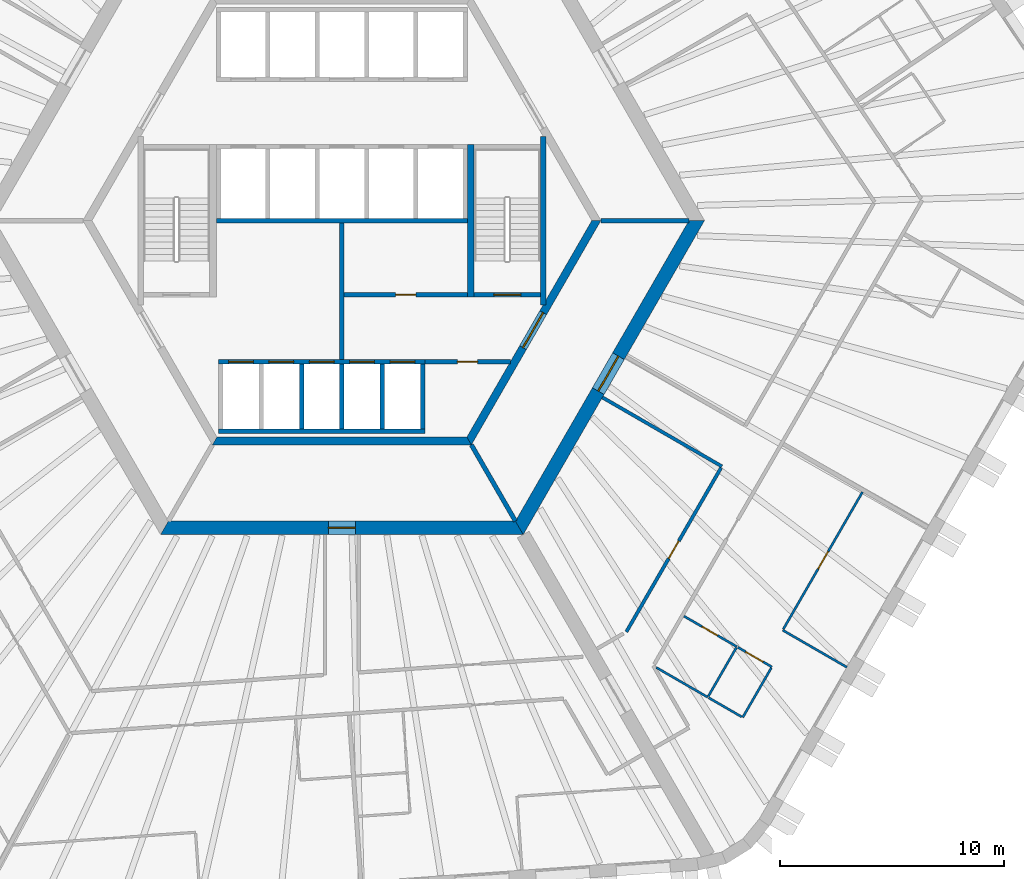
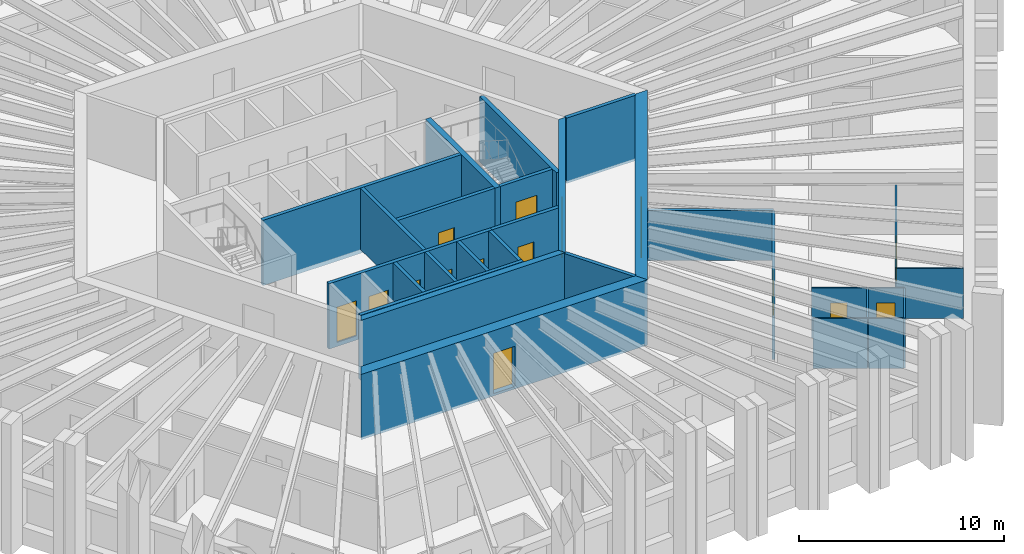
# One storey, part 5 of 12: 29 walls, 15 doors, 15 openings.
"""IFC4 building model written with IfcOpenShell, lengths in metres."""

from ifc_helpers import new_model, si_unit, direction, frame, frame_2d, origin, place, context, subcontext, project, spatial, polyline, rectangle, outline, extrude, material, layer, layer_set, type_object, element, fill, save


model = new_model("IFC4")

# Units and contexts
model_context = context("Model", 3, precision=1e-05, world=origin(), true_north=direction((0.0, 1.0)))
body_context = subcontext(model_context, "Body", "Model", "MODEL_VIEW")
ifc_project = project(units=[si_unit("LENGTHUNIT", "METRE"), si_unit("AREAUNIT", "SQUARE_METRE"), si_unit("VOLUMEUNIT", "CUBIC_METRE"), si_unit("PLANEANGLEUNIT", "RADIAN"), si_unit("MASSUNIT", "GRAM", prefix="KILO")], contexts=[model_context])

# Site, building, storey
site_placement = place(None, origin())
site = spatial("IfcSite", under=ifc_project, at=site_placement, CompositionType="ELEMENT")
building_placement = place(site_placement, origin())
building = spatial("IfcBuilding", under=site, at=building_placement, Name="Tarnside Tower", CompositionType="ELEMENT")
storey_placement = place(building_placement, frame((0.0, 0.0, 60.89990234375)))
storey = spatial("IfcBuildingStorey", under=building, at=storey_placement, Name="L12", CompositionType="ELEMENT", Elevation=60.89990234375)

# Wall
ifc_material_1 = material(Name="Gypsum board partition on steel studs", Category="steel")
ifc_layer_1 = layer(ifc_material_1, 0.10009765625)
ifc_layer_set_1 = layer_set([ifc_layer_1], Name="Bathroom wall 100")
wall_type_1 = type_object("IfcWallType", Name="Bathroom wall 100", PredefinedType="PARTITIONING", material=ifc_layer_set_1)
wall_1_placement = place(storey_placement, frame((16.31005859375, -21.25, 0.0), z_axis=(0.0, 0.0, 1.0), x_axis=(-0.866029095148, 0.499993606316, 0.0)))
element("IfcWall", 1, at=wall_1_placement, inside=storey, type_object=wall_type_1, Name="Bathroom wall 03124", PredefinedType="PARTITIONING", context=body_context, shape_type="SweptSolid", body=[
    extrude(rectangle(XDim=2.64990234375, YDim=0.10009765625, at=frame_2d((1.324951171875, 0.0))), origin(), (0.0, 0.0, 1.0), 2.98779296875),
])

# Wall, opening, door
wall_2_placement = place(storey_placement, frame((15.250244140625, -17.6357421875, 0.0), z_axis=(0.0, 0.0, 1.0), x_axis=(0.866012511928, -0.500022328685, 0.0)))
wall_2 = element("IfcWall", 2, at=wall_2_placement, inside=storey, type_object=wall_type_1, Name="Bathroom wall 03125", PredefinedType="PARTITIONING", context=body_context, shape_type="SweptSolid", body=[
    extrude(rectangle(XDim=2.72509765625, YDim=0.10009765625, at=frame_2d((1.362548828125, 0.0))), origin(), (0.0, 0.0, 1.0), 2.98779296875),
])
opening_1_placement = place(wall_2_placement, frame((0.925048828125, 0.0, 0.0)))
opening_1 = element("IfcOpeningElement", 3, at=opening_1_placement, cuts=wall_2, Name="Opening D-B1", PredefinedType="OPENING", context=body_context, shape_type="SweptSolid", body=[
    extrude(rectangle(XDim=0.800048828125, YDim=2.10009765625, at=frame_2d((0.39990234375, 1.050048828125))), frame((0.0, 0.06005859375, 0.0), z_axis=(0.0, -1.0, 0.0), x_axis=(1.0, 0.0, 0.0)), (0.0, 0.0, 1.0), 0.1201171875),
])
ifc_material_2 = material(Name="Timber door leaf", Category="wood")
door_type_1 = type_object("IfcDoorType", Name="Bathroom door 800", OperationType="NOTDEFINED", PredefinedType="DOOR", material=ifc_material_2)
door_1_placement = place(opening_1_placement, origin())
door_1 = element("IfcDoor", 4, at=door_1_placement, inside=storey, type_object=door_type_1, Name="Bathroom door 03027", OperationType="SINGLE_SWING_RIGHT", OverallHeight=2.10009765625, OverallWidth=0.800048828125, PredefinedType="DOOR", context=body_context, shape_type="SweptSolid", body=[
    extrude(rectangle(XDim=0.800048828125, YDim=2.10009765625, at=frame_2d((0.39990234375, 1.050048828125))), frame((0.0, 0.02490234375, 0.0), z_axis=(0.0, -1.0, 0.0), x_axis=(1.0, 0.0, 0.0)), (0.0, 0.0, 1.0), 0.050048828125),
])
fill(opening_1, door_1)

# Walls
wall_3_placement = place(storey_placement, frame((16.335205078125, -21.206787109375, 0.0), z_axis=(0.0, 0.0, 1.0), x_axis=(0.500004234368, 0.866022959057, 0.0)))
element("IfcWall", 5, at=wall_3_placement, inside=storey, type_object=wall_type_1, Name="Bathroom wall 03132", PredefinedType="PARTITIONING", context=body_context, shape_type="SweptSolid", body=[
    extrude(rectangle(XDim=2.5, YDim=0.10009765625, at=frame_2d((1.25, 0.0))), origin(), (0.0, 0.0, 1.0), 2.98779296875),
])
ifc_material_3 = material(Name="Concrete C50/60", Category="concrete")
ifc_layer_2 = layer(ifc_material_3, 0.35009765625)
ifc_layer_set_2 = layer_set([ifc_layer_2], Name="Core block wall 350 C50/60")
wall_type_2 = type_object("IfcWallType", Name="Core block wall 350 C50/60", PredefinedType="SHEAR", material=ifc_layer_set_2)
wall_4_placement = place(storey_placement, frame((-5.672607421875, -9.824951171875, -0.14990234375), z_axis=(0.0, 0.0, 1.0), x_axis=(1.0, 0.0, 0.0)))
element("IfcWall", 6, at=wall_4_placement, inside=storey, type_object=wall_type_2, Name="L12 core block wall face 4", PredefinedType="SHEAR", context=body_context, shape_type="SweptSolid", body=[
    extrude(outline(polyline([(-0.10107421875, -0.175048828125), (11.4462890625, -0.175048828125), (11.244140625, 0.175048828125), (0.10107421875, 0.175048828125), (-0.10107421875, -0.175048828125)])), origin(), (0.0, 0.0, 1.0), 3.89990234375),
])

# Wall, opening, door
wall_5_placement = place(storey_placement, frame((5.672607421875, -9.824951171875, -0.14990234375), z_axis=(0.0, 0.0, 1.0), x_axis=(0.499995046907, 0.866028263435, 0.0)))
wall_5 = element("IfcWall", 7, at=wall_5_placement, inside=storey, type_object=wall_type_2, Name="L12 core block wall face 5", PredefinedType="SHEAR", context=body_context, shape_type="SweptSolid", body=[
    extrude(outline(polyline([(-0.10107421875, -0.175048828125), (11.44580078125, -0.175048828125), (11.24365234375, 0.175048828125), (0.10107421875, 0.175048828125), (-0.10107421875, -0.175048828125)])), origin(), (0.0, 0.0, 1.0), 3.89990234375),
])
opening_2_placement = place(wall_5_placement, frame((4.80126953125, 0.0, 0.14990234375)))
opening_2 = element("IfcOpeningElement", 8, at=opening_2_placement, cuts=wall_5, Name="Opening CD-FFL", PredefinedType="OPENING", context=body_context, shape_type="SweptSolid", body=[
    extrude(rectangle(XDim=1.800048828125, YDim=2.39990234375, at=frame_2d((0.89990234375, 1.199951171875))), frame((0.0, 0.18505859375, 0.0), z_axis=(0.0, -1.0, 0.0), x_axis=(1.0, 0.0, 0.0)), (0.0, 0.0, 1.0), 0.3701171875),
])
ifc_material_4 = material(Name="Steel fire door", Category="steel")
door_type_2 = type_object("IfcDoorType", Name="Firefighting lobby double door FD60S 1800x2400", OperationType="NOTDEFINED", PredefinedType="DOOR", material=ifc_material_4)
door_2_placement = place(opening_2_placement, origin())
door_2 = element("IfcDoor", 9, at=door_2_placement, inside=storey, type_object=door_type_2, Name="L12 lobby block door P4", OperationType="DOUBLE_DOOR_SINGLE_SWING", OverallHeight=2.39990234375, OverallWidth=1.800048828125, PredefinedType="DOOR", context=body_context, shape_type="SweptSolid", body=[
    extrude(rectangle(XDim=1.800048828125, YDim=2.39990234375, at=frame_2d((0.89990234375, 1.199951171875))), frame((0.0, 0.02490234375, 0.0), z_axis=(0.0, -1.0, 0.0), x_axis=(1.0, 0.0, 0.0)), (0.0, 0.0, 1.0), 0.050048828125),
])
fill(opening_2, door_2)

ifc_material_5 = material(Name="Concrete C40/50", Category="concrete")
ifc_layer_3 = layer(ifc_material_5, 0.199951171875)
ifc_layer_set_3 = layer_set([ifc_layer_3], Name="Core room partition 200 C40/50")
wall_type_3 = type_object("IfcWallType", Name="Core room partition 200 C40/50", PredefinedType="PARTITIONING", material=ifc_layer_set_3)
wall_6_placement = place(storey_placement, frame((0.10009765625, -3.300048828125, 0.0), z_axis=(0.0, 0.0, 1.0), x_axis=(1.0, 0.0, 0.0)))
wall_6 = element("IfcWall", 10, at=wall_6_placement, inside=storey, type_object=wall_type_3, Name="L12 core partition R3S1", PredefinedType="PARTITIONING", context=body_context, shape_type="SweptSolid", body=[
    extrude(rectangle(XDim=5.5, YDim=0.199951171875, at=frame_2d((2.75, 0.0))), origin(), (0.0, 0.0, 1.0), 3.650146484375),
])
opening_3_placement = place(wall_6_placement, frame((2.300048828125, 0.0, 0.0)))
opening_3 = element("IfcOpeningElement", 11, at=opening_3_placement, cuts=wall_6, Name="Opening CD-room", PredefinedType="OPENING", context=body_context, shape_type="SweptSolid", body=[
    extrude(rectangle(XDim=0.89990234375, YDim=2.10009765625, at=frame_2d((0.449951171875, 1.050048828125))), frame((0.0, 0.10986328125, 0.0), z_axis=(0.0, -1.0, 0.0), x_axis=(1.0, 0.0, 0.0)), (0.0, 0.0, 1.0), 0.219970703125),
])
door_type_3 = type_object("IfcDoorType", Name="Room door FD60 900x2100", OperationType="NOTDEFINED", PredefinedType="DOOR", material=ifc_material_4)
door_3_placement = place(opening_3_placement, origin())
door_3 = element("IfcDoor", 12, at=door_3_placement, inside=storey, type_object=door_type_3, Name="L12 core room door SR1", OperationType="SINGLE_SWING_LEFT", OverallHeight=2.10009765625, OverallWidth=0.89990234375, PredefinedType="DOOR", context=body_context, shape_type="SweptSolid", body=[
    extrude(rectangle(XDim=0.89990234375, YDim=2.10009765625, at=frame_2d((0.449951171875, 1.050048828125))), frame((0.0, 0.02490234375, 0.0), z_axis=(0.0, -1.0, 0.0), x_axis=(1.0, 0.0, 0.0)), (0.0, 0.0, 1.0), 0.050048828125),
])
fill(opening_3, door_3)

# Wall
wall_7_placement = place(storey_placement, frame((0.0, -6.199951171875, 0.0), z_axis=(0.0, 0.0, 1.0), x_axis=(0.0, 1.0, 0.0)))
element("IfcWall", 13, at=wall_7_placement, inside=storey, type_object=wall_type_3, Name="L12 core partition X0", PredefinedType="PARTITIONING", context=body_context, shape_type="SweptSolid", body=[
    extrude(rectangle(XDim=6.099853515625, YDim=0.199951171875, at=frame_2d((3.0498046875, 0.0))), origin(), (0.0, 0.0, 1.0), 3.650146484375),
])

# Wall, opening, door
wall_8_placement = place(storey_placement, frame((3.699951171875, -6.300048828125, 0.0), z_axis=(0.0, 0.0, 1.0), x_axis=(1.0, 0.0, 0.0)))
wall_8 = element("IfcWall", 14, at=wall_8_placement, inside=storey, type_object=wall_type_3, Name="L12 core partition R4X", PredefinedType="PARTITIONING", context=body_context, shape_type="SweptSolid", body=[
    extrude(rectangle(XDim=3.8056640625, YDim=0.199951171875, at=frame_2d((1.90283203125, 0.0))), origin(), (0.0, 0.0, 1.0), 3.650146484375),
])
opening_4_placement = place(wall_8_placement, frame((1.452880859375, 0.0, 0.0)))
opening_4 = element("IfcOpeningElement", 15, at=opening_4_placement, cuts=wall_8, Name="Opening CD-room", PredefinedType="OPENING", context=body_context, shape_type="SweptSolid", body=[
    extrude(rectangle(XDim=0.89990234375, YDim=2.10009765625, at=frame_2d((0.449951171875, 1.050048828125))), frame((0.0, 0.10986328125, 0.0), z_axis=(0.0, -1.0, 0.0), x_axis=(1.0, 0.0, 0.0)), (0.0, 0.0, 1.0), 0.219970703125),
])
door_4_placement = place(opening_4_placement, origin())
door_4 = element("IfcDoor", 16, at=door_4_placement, inside=storey, type_object=door_type_3, Name="L12 core room door RX", OperationType="SINGLE_SWING_LEFT", OverallHeight=2.10009765625, OverallWidth=0.89990234375, PredefinedType="DOOR", context=body_context, shape_type="SweptSolid", body=[
    extrude(rectangle(XDim=0.89990234375, YDim=2.10009765625, at=frame_2d((0.449951171875, 1.050048828125))), frame((0.0, 0.02490234375, 0.0), z_axis=(0.0, -1.0, 0.0), x_axis=(1.0, 0.0, 0.0)), (0.0, 0.0, 1.0), 0.050048828125),
])
fill(opening_4, door_4)

ifc_material_6 = material(Name="Concrete C80/95", Category="concrete")
ifc_layer_4 = layer(ifc_material_6, 0.60009765625)
ifc_layer_set_4 = layer_set([ifc_layer_4], Name="Core wall Z1 600 C80/95")
wall_type_4 = type_object("IfcWallType", Name="Core wall Z1 600 C80/95", PredefinedType="SHEAR", material=ifc_layer_set_4)
wall_9_placement = place(storey_placement, frame((-7.90966796875, -13.699951171875, -0.14990234375), z_axis=(0.0, 0.0, 1.0), x_axis=(1.0, 0.0, 0.0)))
wall_9 = element("IfcWall", 17, at=wall_9_placement, inside=storey, type_object=wall_type_4, Name="L12 core wall face 4", PredefinedType="SHEAR", context=body_context, shape_type="SweptSolid", body=[
    extrude(outline(polyline([(-0.17333984375, -0.300048828125), (15.99267578125, -0.300048828125), (15.64599609375, 0.300048828125), (0.17333984375, 0.300048828125), (-0.17333984375, -0.300048828125)])), origin(), (0.0, 0.0, 1.0), 3.89990234375),
])
opening_5_placement = place(wall_9_placement, frame((7.309814453125, 0.0, 0.14990234375)))
opening_5 = element("IfcOpeningElement", 18, at=opening_5_placement, cuts=wall_9, Name="Opening CD-RSR", PredefinedType="OPENING", context=body_context, shape_type="SweptSolid", body=[
    extrude(rectangle(XDim=1.199951171875, YDim=2.39990234375, at=frame_2d((0.60009765625, 1.199951171875))), frame((0.0, 0.31005859375, 0.0), z_axis=(0.0, -1.0, 0.0), x_axis=(1.0, 0.0, 0.0)), (0.0, 0.0, 1.0), 0.6201171875),
])
door_type_4 = type_object("IfcDoorType", Name="Riser door FD60 1200x2400", OperationType="NOTDEFINED", PredefinedType="DOOR", material=ifc_material_4)
door_5_placement = place(opening_5_placement, origin())
door_5 = element("IfcDoor", 19, at=door_5_placement, inside=storey, type_object=door_type_4, Name="L12 core door S6", OperationType="SINGLE_SWING_LEFT", OverallHeight=2.39990234375, OverallWidth=1.199951171875, PredefinedType="DOOR", context=body_context, shape_type="SweptSolid", body=[
    extrude(rectangle(XDim=1.199951171875, YDim=2.39990234375, at=frame_2d((0.60009765625, 1.199951171875))), frame((0.0, 0.02490234375, 0.0), z_axis=(0.0, -1.0, 0.0), x_axis=(1.0, 0.0, 0.0)), (0.0, 0.0, 1.0), 0.050048828125),
])
fill(opening_5, door_5)

wall_10_placement = place(storey_placement, frame((7.90966796875, -13.699951171875, -0.14990234375), z_axis=(0.0, 0.0, 1.0), x_axis=(0.499999880136, 0.866025472988, 0.0)))
wall_10 = element("IfcWall", 20, at=wall_10_placement, inside=storey, type_object=wall_type_4, Name="L12 core wall face 5", PredefinedType="SHEAR", context=body_context, shape_type="SweptSolid", body=[
    extrude(outline(polyline([(-0.17333984375, -0.300048828125), (15.99267578125, -0.300048828125), (15.64599609375, 0.300048828125), (0.17333984375, 0.300048828125), (-0.17333984375, -0.300048828125)])), origin(), (0.0, 0.0, 1.0), 3.89990234375),
])
opening_6_placement = place(wall_10_placement, frame((7.03857421875, 0.0, 0.14990234375)))
opening_6 = element("IfcOpeningElement", 21, at=opening_6_placement, cuts=wall_10, Name="Opening CD-FFL", PredefinedType="OPENING", context=body_context, shape_type="SweptSolid", body=[
    extrude(rectangle(XDim=1.800048828125, YDim=2.39990234375, at=frame_2d((0.89990234375, 1.199951171875))), frame((0.0, 0.31005859375, 0.0), z_axis=(0.0, -1.0, 0.0), x_axis=(1.0, 0.0, 0.0)), (0.0, 0.0, 1.0), 0.6201171875),
])
door_6_placement = place(opening_6_placement, origin())
door_6 = element("IfcDoor", 22, at=door_6_placement, inside=storey, type_object=door_type_2, Name="L12 core door P4", OperationType="DOUBLE_DOOR_SINGLE_SWING", OverallHeight=2.39990234375, OverallWidth=1.800048828125, PredefinedType="DOOR", context=body_context, shape_type="SweptSolid", body=[
    extrude(rectangle(XDim=1.800048828125, YDim=2.39990234375, at=frame_2d((0.89990234375, 1.199951171875))), frame((0.0, 0.02490234375, 0.0), z_axis=(0.0, -1.0, 0.0), x_axis=(1.0, 0.0, 0.0)), (0.0, 0.0, 1.0), 0.050048828125),
])
fill(opening_6, door_6)

# Wall
ifc_layer_5 = layer(ifc_material_1, 0.14990234375)
ifc_layer_set_5 = layer_set([ifc_layer_5], Name="Corridor wall 150 EI 60")
wall_type_5 = type_object("IfcWallType", Name="Corridor wall 150 EI 60", PredefinedType="PARTITIONING", material=ifc_layer_set_5)
wall_11_placement = place(storey_placement, frame((11.61376953125, -7.88427734375, 0.0), z_axis=(0.0, 0.0, 1.0), x_axis=(0.866033542371, -0.499985903289, 0.0)))
element("IfcWall", 23, at=wall_11_placement, inside=storey, type_object=wall_type_5, Name="Corridor wall 03067", PredefinedType="PARTITIONING", context=body_context, shape_type="SweptSolid", body=[
    extrude(rectangle(XDim=6.150146484375, YDim=0.14990234375, at=frame_2d((3.0751953125, 0.0))), origin(), (0.0, 0.0, 1.0), 2.98779296875),
])

# Wall, opening, door
wall_12_placement = place(storey_placement, frame((16.90234375, -11.024169921875, 0.0), z_axis=(0.0, 0.0, 1.0), x_axis=(-0.499999527968, -0.866025676312, 0.0)))
wall_12 = element("IfcWall", 24, at=wall_12_placement, inside=storey, type_object=wall_type_5, Name="Corridor wall 03068", PredefinedType="PARTITIONING", context=body_context, shape_type="SweptSolid", body=[
    extrude(rectangle(XDim=8.44091796875, YDim=0.14990234375, at=frame_2d((4.220458984375, 0.0))), origin(), (0.0, 0.0, 1.0), 2.98779296875),
])
opening_7_placement = place(wall_12_placement, frame((3.7705078125, 0.0, 0.0)))
opening_7 = element("IfcOpeningElement", 25, at=opening_7_placement, cuts=wall_12, Name="Opening D-S1", PredefinedType="OPENING", context=body_context, shape_type="SweptSolid", body=[
    extrude(rectangle(XDim=0.89990234375, YDim=2.10009765625, at=frame_2d((0.449951171875, 1.050048828125))), frame((0.0, 0.0849609375, 0.0), z_axis=(0.0, -1.0, 0.0), x_axis=(1.0, 0.0, 0.0)), (0.0, 0.0, 1.0), 0.169921875),
])
door_type_5 = type_object("IfcDoorType", Name="Service room door 900 FD30S", OperationType="NOTDEFINED", PredefinedType="DOOR", material=ifc_material_2)
door_7_placement = place(opening_7_placement, origin())
door_7 = element("IfcDoor", 26, at=door_7_placement, inside=storey, type_object=door_type_5, Name="Service door 03046", OperationType="SINGLE_SWING_RIGHT", OverallHeight=2.10009765625, OverallWidth=0.89990234375, PredefinedType="DOOR", context=body_context, shape_type="SweptSolid", body=[
    extrude(rectangle(XDim=0.89990234375, YDim=2.10009765625, at=frame_2d((0.449951171875, 1.050048828125))), frame((0.0, 0.02490234375, 0.0), z_axis=(0.0, -1.0, 0.0), x_axis=(1.0, 0.0, 0.0)), (0.0, 0.0, 1.0), 0.050048828125),
])
fill(opening_7, door_7)

# Wall
ifc_layer_6 = layer(ifc_material_5, 0.199951171875)
ifc_layer_set_6 = layer_set([ifc_layer_6], Name="Lift shaft wall 200 C40/50")
wall_type_6 = type_object("IfcWallType", Name="Lift shaft wall 200 C40/50", PredefinedType="SHEAR", material=ifc_layer_set_6)
wall_13_placement = place(storey_placement, frame((-5.60009765625, 0.0, -0.25), z_axis=(0.0, 0.0, 1.0), x_axis=(1.0, 0.0, 0.0)))
element("IfcWall", 27, at=wall_13_placement, inside=storey, type_object=wall_type_6, Name="L12 lift shaft back wall R2", PredefinedType="SHEAR", context=body_context, shape_type="SweptSolid", body=[
    extrude(rectangle(XDim=11.2001953125, YDim=0.199951171875, at=frame_2d((5.60009765625, 0.0))), origin(), (0.0, 0.0, 1.0), 3.900146484375),
])

# Wall, openings, doors
wall_14_placement = place(storey_placement, frame((-5.5, -6.300048828125, -0.25), z_axis=(0.0, 0.0, 1.0), x_axis=(1.0, 0.0, 0.0)))
wall_14 = element("IfcWall", 28, at=wall_14_placement, inside=storey, type_object=wall_type_6, Name="L12 lift shaft front wall R4", PredefinedType="SHEAR", context=body_context, shape_type="SweptSolid", body=[
    extrude(rectangle(XDim=9.199951171875, YDim=0.199951171875, at=frame_2d((4.60009765625, 0.0))), origin(), (0.0, 0.0, 1.0), 3.900146484375),
])
opening_8_placement = place(wall_14_placement, frame((0.449951171875, 0.0, 0.25)))
opening_8 = element("IfcOpeningElement", 29, at=opening_8_placement, cuts=wall_14, Name="Opening LDF", PredefinedType="OPENING", context=body_context, shape_type="SweptSolid", body=[
    extrude(rectangle(XDim=1.10009765625, YDim=2.10009765625, at=frame_2d((0.550048828125, 1.050048828125))), frame((0.0, 0.10986328125, 0.0), z_axis=(0.0, -1.0, 0.0), x_axis=(1.0, 0.0, 0.0)), (0.0, 0.0, 1.0), 0.219970703125),
])
opening_9_placement = place(wall_14_placement, frame((2.25, 0.0, 0.25)))
opening_9 = element("IfcOpeningElement", 30, at=opening_9_placement, cuts=wall_14, Name="Opening LDF", PredefinedType="OPENING", context=body_context, shape_type="SweptSolid", body=[
    extrude(rectangle(XDim=1.10009765625, YDim=2.10009765625, at=frame_2d((0.550048828125, 1.050048828125))), frame((0.0, 0.10986328125, 0.0), z_axis=(0.0, -1.0, 0.0), x_axis=(1.0, 0.0, 0.0)), (0.0, 0.0, 1.0), 0.219970703125),
])
opening_10_placement = place(wall_14_placement, frame((4.050048828125, 0.0, 0.25)))
opening_10 = element("IfcOpeningElement", 31, at=opening_10_placement, cuts=wall_14, Name="Opening LDF", PredefinedType="OPENING", context=body_context, shape_type="SweptSolid", body=[
    extrude(rectangle(XDim=1.10009765625, YDim=2.10009765625, at=frame_2d((0.550048828125, 1.050048828125))), frame((0.0, 0.10986328125, 0.0), z_axis=(0.0, -1.0, 0.0), x_axis=(1.0, 0.0, 0.0)), (0.0, 0.0, 1.0), 0.219970703125),
])
opening_11_placement = place(wall_14_placement, frame((5.85009765625, 0.0, 0.25)))
opening_11 = element("IfcOpeningElement", 32, at=opening_11_placement, cuts=wall_14, Name="Opening LDF", PredefinedType="OPENING", context=body_context, shape_type="SweptSolid", body=[
    extrude(rectangle(XDim=1.10009765625, YDim=2.10009765625, at=frame_2d((0.550048828125, 1.050048828125))), frame((0.0, 0.10986328125, 0.0), z_axis=(0.0, -1.0, 0.0), x_axis=(1.0, 0.0, 0.0)), (0.0, 0.0, 1.0), 0.219970703125),
])
opening_12_placement = place(wall_14_placement, frame((7.64990234375, 0.0, 0.25)))
opening_12 = element("IfcOpeningElement", 33, at=opening_12_placement, cuts=wall_14, Name="Opening LDF", PredefinedType="OPENING", context=body_context, shape_type="SweptSolid", body=[
    extrude(rectangle(XDim=1.10009765625, YDim=2.10009765625, at=frame_2d((0.550048828125, 1.050048828125))), frame((0.0, 0.10986328125, 0.0), z_axis=(0.0, -1.0, 0.0), x_axis=(1.0, 0.0, 0.0)), (0.0, 0.0, 1.0), 0.219970703125),
])
ifc_material_7 = material(Name="Stainless steel", Category="steel")
door_type_6 = type_object("IfcDoorType", Name="Lift landing door 1100x2100 EI 120", OperationType="NOTDEFINED", PredefinedType="DOOR", material=ifc_material_7)
door_8_placement = place(opening_8_placement, origin())
door_8 = element("IfcDoor", 34, at=door_8_placement, inside=storey, type_object=door_type_6, Name="Firefighting lift 1 landing door L12", OperationType="SLIDING_TO_LEFT", OverallHeight=2.10009765625, OverallWidth=1.10009765625, PredefinedType="DOOR", context=body_context, shape_type="SweptSolid", body=[
    extrude(rectangle(XDim=1.10009765625, YDim=2.10009765625, at=frame_2d((0.550048828125, 1.050048828125))), frame((0.0, 0.02490234375, 0.0), z_axis=(0.0, -1.0, 0.0), x_axis=(1.0, 0.0, 0.0)), (0.0, 0.0, 1.0), 0.050048828125),
])
fill(opening_8, door_8)
door_9_placement = place(opening_9_placement, origin())
door_9 = element("IfcDoor", 35, at=door_9_placement, inside=storey, type_object=door_type_6, Name="Firefighting lift 2 landing door L12", OperationType="SLIDING_TO_LEFT", OverallHeight=2.10009765625, OverallWidth=1.10009765625, PredefinedType="DOOR", context=body_context, shape_type="SweptSolid", body=[
    extrude(rectangle(XDim=1.10009765625, YDim=2.10009765625, at=frame_2d((0.550048828125, 1.050048828125))), frame((0.0, 0.02490234375, 0.0), z_axis=(0.0, -1.0, 0.0), x_axis=(1.0, 0.0, 0.0)), (0.0, 0.0, 1.0), 0.050048828125),
])
fill(opening_9, door_9)
door_10_placement = place(opening_10_placement, origin())
door_10 = element("IfcDoor", 36, at=door_10_placement, inside=storey, type_object=door_type_6, Name="Firefighting lift 3 landing door L12", OperationType="SLIDING_TO_LEFT", OverallHeight=2.10009765625, OverallWidth=1.10009765625, PredefinedType="DOOR", context=body_context, shape_type="SweptSolid", body=[
    extrude(rectangle(XDim=1.10009765625, YDim=2.10009765625, at=frame_2d((0.550048828125, 1.050048828125))), frame((0.0, 0.02490234375, 0.0), z_axis=(0.0, -1.0, 0.0), x_axis=(1.0, 0.0, 0.0)), (0.0, 0.0, 1.0), 0.050048828125),
])
fill(opening_10, door_10)
door_11_placement = place(opening_11_placement, origin())
door_11 = element("IfcDoor", 37, at=door_11_placement, inside=storey, type_object=door_type_6, Name="Firefighting lift 4 landing door L12", OperationType="SLIDING_TO_LEFT", OverallHeight=2.10009765625, OverallWidth=1.10009765625, PredefinedType="DOOR", context=body_context, shape_type="SweptSolid", body=[
    extrude(rectangle(XDim=1.10009765625, YDim=2.10009765625, at=frame_2d((0.550048828125, 1.050048828125))), frame((0.0, 0.02490234375, 0.0), z_axis=(0.0, -1.0, 0.0), x_axis=(1.0, 0.0, 0.0)), (0.0, 0.0, 1.0), 0.050048828125),
])
fill(opening_11, door_11)
door_12_placement = place(opening_12_placement, origin())
door_12 = element("IfcDoor", 38, at=door_12_placement, inside=storey, type_object=door_type_6, Name="Firefighting lift 5 landing door L12", OperationType="SLIDING_TO_LEFT", OverallHeight=2.10009765625, OverallWidth=1.10009765625, PredefinedType="DOOR", context=body_context, shape_type="SweptSolid", body=[
    extrude(rectangle(XDim=1.10009765625, YDim=2.10009765625, at=frame_2d((0.550048828125, 1.050048828125))), frame((0.0, 0.02490234375, 0.0), z_axis=(0.0, -1.0, 0.0), x_axis=(1.0, 0.0, 0.0)), (0.0, 0.0, 1.0), 0.050048828125),
])
fill(opening_12, door_12)

# Walls
wall_15_placement = place(storey_placement, frame((-5.5, -9.39990234375, -0.25), z_axis=(0.0, 0.0, 1.0), x_axis=(1.0, 0.0, 0.0)))
element("IfcWall", 39, at=wall_15_placement, inside=storey, type_object=wall_type_6, Name="L12 lift shaft back wall R4", PredefinedType="SHEAR", context=body_context, shape_type="SweptSolid", body=[
    extrude(rectangle(XDim=9.199951171875, YDim=0.199951171875, at=frame_2d((4.60009765625, 0.0))), origin(), (0.0, 0.0, 1.0), 3.900146484375),
])
for number, where, z_axis, x_axis, name in (
    (40, (-1.800048828125, -9.300048828125, -0.25), (0.0, 0.0, 1.0), (0.0, 1.0, 0.0), "L12 lift shaft partition R43"),
    (41, (0.0, -9.300048828125, -0.25), (0.0, 0.0, 1.0), (0.0, 1.0, 0.0), "L12 lift shaft partition R44"),
    (42, (1.800048828125, -9.300048828125, -0.25), (0.0, 0.0, 1.0), (0.0, 1.0, 0.0), "L12 lift shaft partition R45"),
    (43, (3.60009765625, -9.300048828125, -0.25), (0.0, 0.0, 1.0), (0.0, 1.0, 0.0), "L12 lift shaft partition R46"),
):
    element("IfcWall", number, at=place(storey_placement, frame(where, z_axis=z_axis, x_axis=x_axis)), inside=storey, type_object=wall_type_6, Name=name, PredefinedType="SHEAR", context=body_context, shape_type="SweptSolid", body=[
        extrude(rectangle(XDim=2.900146484375, YDim=0.199951171875, at=frame_2d((1.4501953125, 0.0))), origin(), (0.0, 0.0, 1.0), 3.900146484375),
    ])
wall_16_placement = place(storey_placement, frame((11.547119140625, 0.0, -0.14990234375), z_axis=(0.0, 0.0, 1.0), x_axis=(1.0, 0.0, 0.0)))
element("IfcWall", 44, at=wall_16_placement, inside=storey, type_object=wall_type_6, Name="L12 core partition AR0", PredefinedType="SHEAR", context=body_context, shape_type="SweptSolid", body=[
    extrude(rectangle(XDim=3.92578125, YDim=0.199951171875, at=frame_2d((1.962890625, 0.0))), origin(), (0.0, 0.0, 1.0), 3.89990234375),
])
wall_17_placement = place(storey_placement, frame((5.7734375, -10.0, -0.14990234375), z_axis=(0.0, 0.0, 1.0), x_axis=(0.500038251005, -0.86600331843, 0.0)))
element("IfcWall", 45, at=wall_17_placement, inside=storey, type_object=wall_type_6, Name="L12 core partition AR300", PredefinedType="SHEAR", context=body_context, shape_type="SweptSolid", body=[
    extrude(rectangle(XDim=3.926025390625, YDim=0.199951171875, at=frame_2d((1.962890625, 0.0))), origin(), (0.0, 0.0, 1.0), 3.89990234375),
])

# Wall, opening, door
wall_18_placement = place(storey_placement, frame((5.89990234375, -3.300048828125, -0.25), z_axis=(0.0, 0.0, 1.0), x_axis=(1.0, 0.0, 0.0)))
wall_18 = element("IfcWall", 46, at=wall_18_placement, inside=storey, type_object=wall_type_6, Name="L12 stair 1 enclosure cap wall s", PredefinedType="SHEAR", context=body_context, shape_type="SweptSolid", body=[
    extrude(rectangle(XDim=2.9501953125, YDim=0.199951171875, at=frame_2d((1.47509765625, 0.0))), origin(), (0.0, 0.0, 1.0), 3.900146484375),
])
opening_13_placement = place(wall_18_placement, frame((0.875, 0.0, 0.25)))
opening_13 = element("IfcOpeningElement", 47, at=opening_13_placement, cuts=wall_18, Name="Opening CD-STR", PredefinedType="OPENING", context=body_context, shape_type="SweptSolid", body=[
    extrude(rectangle(XDim=1.199951171875, YDim=2.39990234375, at=frame_2d((0.60009765625, 1.199951171875))), frame((0.0, 0.10986328125, 0.0), z_axis=(0.0, -1.0, 0.0), x_axis=(1.0, 0.0, 0.0)), (0.0, 0.0, 1.0), 0.219970703125),
])
door_type_7 = type_object("IfcDoorType", Name="Stair door FD60S 1200x2400", OperationType="NOTDEFINED", PredefinedType="DOOR", material=ifc_material_4)
door_13_placement = place(opening_13_placement, origin())
door_13 = element("IfcDoor", 48, at=door_13_placement, inside=storey, type_object=door_type_7, Name="L12 stair 1 door", OperationType="SINGLE_SWING_LEFT", OverallHeight=2.39990234375, OverallWidth=1.199951171875, PredefinedType="DOOR", context=body_context, shape_type="SweptSolid", body=[
    extrude(rectangle(XDim=1.199951171875, YDim=2.39990234375, at=frame_2d((0.60009765625, 1.199951171875))), frame((0.0, 0.02490234375, 0.0), z_axis=(0.0, -1.0, 0.0), x_axis=(1.0, 0.0, 0.0)), (0.0, 0.0, 1.0), 0.050048828125),
])
fill(opening_13, door_13)

ifc_layer_7 = layer(ifc_material_1, 0.10009765625)
ifc_layer_set_7 = layer_set([ifc_layer_7], Name="Partition 100")
wall_type_7 = type_object("IfcWallType", Name="Partition 100", PredefinedType="PARTITIONING", material=ifc_layer_set_7)
wall_19_placement = place(storey_placement, frame((17.653564453125, -19.0234375, 0.0), z_axis=(0.0, 0.0, 1.0), x_axis=(0.866002029911, -0.500040482552, 0.0)))
wall_19 = element("IfcWall", 49, at=wall_19_placement, inside=storey, type_object=wall_type_7, Name="Partition wall 03126", PredefinedType="PARTITIONING", context=body_context, shape_type="SweptSolid", body=[
    extrude(rectangle(XDim=1.749755859375, YDim=0.10009765625, at=frame_2d((0.875, 0.0))), origin(), (0.0, 0.0, 1.0), 2.98779296875),
])
opening_14_placement = place(wall_19_placement, frame((0.39990234375, 0.0, 0.0)))
opening_14 = element("IfcOpeningElement", 50, at=opening_14_placement, cuts=wall_19, Name="Opening D-I1", PredefinedType="OPENING", context=body_context, shape_type="SweptSolid", body=[
    extrude(rectangle(XDim=0.89990234375, YDim=2.10009765625, at=frame_2d((0.449951171875, 1.050048828125))), frame((0.0, 0.06005859375, 0.0), z_axis=(0.0, -1.0, 0.0), x_axis=(1.0, 0.0, 0.0)), (0.0, 0.0, 1.0), 0.1201171875),
])
door_type_8 = type_object("IfcDoorType", Name="Internal door 900", OperationType="NOTDEFINED", PredefinedType="DOOR", material=ifc_material_2)
door_14_placement = place(opening_14_placement, origin())
door_14 = element("IfcDoor", 51, at=door_14_placement, inside=storey, type_object=door_type_8, Name="Internal door 03028", OperationType="SINGLE_SWING_RIGHT", OverallHeight=2.10009765625, OverallWidth=0.89990234375, PredefinedType="DOOR", context=body_context, shape_type="SweptSolid", body=[
    extrude(rectangle(XDim=0.89990234375, YDim=2.10009765625, at=frame_2d((0.449951171875, 1.050048828125))), frame((0.0, 0.02490234375, 0.0), z_axis=(0.0, -1.0, 0.0), x_axis=(1.0, 0.0, 0.0)), (0.0, 0.0, 1.0), 0.050048828125),
])
fill(opening_14, door_14)

# Walls
wall_20_placement = place(storey_placement, frame((19.14404296875, -19.941650390625, 0.0), z_axis=(0.0, 0.0, 1.0), x_axis=(-0.500062241894, -0.865989465428, 0.0)))
element("IfcWall", 52, at=wall_20_placement, inside=storey, type_object=wall_type_7, Name="Partition wall 03127", PredefinedType="PARTITIONING", context=body_context, shape_type="SweptSolid", body=[
    extrude(rectangle(XDim=2.550048828125, YDim=0.10009765625, at=frame_2d((1.27490234375, 0.0))), origin(), (0.0, 0.0, 1.0), 2.98779296875),
])
wall_21_placement = place(storey_placement, frame((17.82568359375, -22.125, 0.0), z_axis=(0.0, 0.0, 1.0), x_axis=(-0.865989465428, 0.500062241894, 0.0)))
element("IfcWall", 53, at=wall_21_placement, inside=storey, type_object=wall_type_7, Name="Partition wall 03128", PredefinedType="PARTITIONING", context=body_context, shape_type="SweptSolid", body=[
    extrude(rectangle(XDim=1.699951171875, YDim=0.10009765625, at=frame_2d((0.85009765625, 0.0))), origin(), (0.0, 0.0, 1.0), 2.98779296875),
])
wall_22_placement = place(storey_placement, frame((22.510009765625, -19.91162109375, 0.0), z_axis=(0.0, 0.0, 1.0), x_axis=(-0.866008176907, 0.50002983664, 0.0)))
element("IfcWall", 54, at=wall_22_placement, inside=storey, type_object=wall_type_7, Name="Partition wall 03129", PredefinedType="PARTITIONING", context=body_context, shape_type="SweptSolid", body=[
    extrude(rectangle(XDim=3.300048828125, YDim=0.10009765625, at=frame_2d((1.64990234375, 0.0))), origin(), (0.0, 0.0, 1.0), 2.98779296875),
])

# Wall, opening, door
wall_23_placement = place(storey_placement, frame((19.677001953125, -18.21826171875, 0.0), z_axis=(0.0, 0.0, 1.0), x_axis=(0.500010820671, 0.866019156377, 0.0)))
wall_23 = element("IfcWall", 55, at=wall_23_placement, inside=storey, type_object=wall_type_7, Name="Partition wall 03130", PredefinedType="PARTITIONING", context=body_context, shape_type="SweptSolid", body=[
    extrude(rectangle(XDim=7.059814453125, YDim=0.10009765625, at=frame_2d((3.52978515625, 0.0))), origin(), (0.0, 0.0, 1.0), 2.98779296875),
])
opening_15_placement = place(wall_23_placement, frame((3.10009765625, 0.0, 0.0)))
opening_15 = element("IfcOpeningElement", 56, at=opening_15_placement, cuts=wall_23, Name="Opening D-I1", PredefinedType="OPENING", context=body_context, shape_type="SweptSolid", body=[
    extrude(rectangle(XDim=0.89990234375, YDim=2.10009765625, at=frame_2d((0.449951171875, 1.050048828125))), frame((0.0, 0.06005859375, 0.0), z_axis=(0.0, -1.0, 0.0), x_axis=(1.0, 0.0, 0.0)), (0.0, 0.0, 1.0), 0.1201171875),
])
door_15_placement = place(opening_15_placement, origin())
door_15 = element("IfcDoor", 57, at=door_15_placement, inside=storey, type_object=door_type_8, Name="Internal door 03029", OperationType="SINGLE_SWING_LEFT", OverallHeight=2.10009765625, OverallWidth=0.89990234375, PredefinedType="DOOR", context=body_context, shape_type="SweptSolid", body=[
    extrude(rectangle(XDim=0.89990234375, YDim=2.10009765625, at=frame_2d((0.449951171875, 1.050048828125))), frame((0.0, 0.02490234375, 0.0), z_axis=(0.0, -1.0, 0.0), x_axis=(1.0, 0.0, 0.0)), (0.0, 0.0, 1.0), 0.050048828125),
])
fill(opening_15, door_15)

# Walls
ifc_layer_8 = layer(ifc_material_5, 0.25)
ifc_layer_set_8 = layer_set([ifc_layer_8], Name="Stair enclosure wall 250 C40/50")
wall_type_8 = type_object("IfcWallType", Name="Stair enclosure wall 250 C40/50", PredefinedType="SHEAR", material=ifc_layer_set_8)
wall_24_placement = place(storey_placement, frame((8.97509765625, -3.7548828125, -0.25), z_axis=(0.0, 0.0, 1.0), x_axis=(0.0, 1.0, 0.0)))
element("IfcWall", 58, at=wall_24_placement, inside=storey, type_object=wall_type_8, Name="L12 stair 1 enclosure wall outer", PredefinedType="SHEAR", context=body_context, shape_type="SweptSolid", body=[
    extrude(rectangle(XDim=7.509765625, YDim=0.25, at=frame_2d((3.7548828125, 0.0))), origin(), (0.0, 0.0, 1.0), 3.900146484375),
])
ifc_layer_9 = layer(ifc_material_5, 0.300048828125)
ifc_layer_set_9 = layer_set([ifc_layer_9], Name="Stair enclosure wall 300 C40/50")
wall_type_9 = type_object("IfcWallType", Name="Stair enclosure wall 300 C40/50", PredefinedType="SHEAR", material=ifc_layer_set_9)
wall_25_placement = place(storey_placement, frame((5.75, -3.39990234375, -0.25), z_axis=(0.0, 0.0, 1.0), x_axis=(0.0, 1.0, 0.0)))
element("IfcWall", 59, at=wall_25_placement, inside=storey, type_object=wall_type_9, Name="L12 stair 1 enclosure wall inner", PredefinedType="SHEAR", context=body_context, shape_type="SweptSolid", body=[
    extrude(rectangle(XDim=6.7998046875, YDim=0.300048828125, at=frame_2d((3.39990234375, 0.0))), origin(), (0.0, 0.0, 1.0), 3.900146484375),
])

save(model, "model.ifc")
